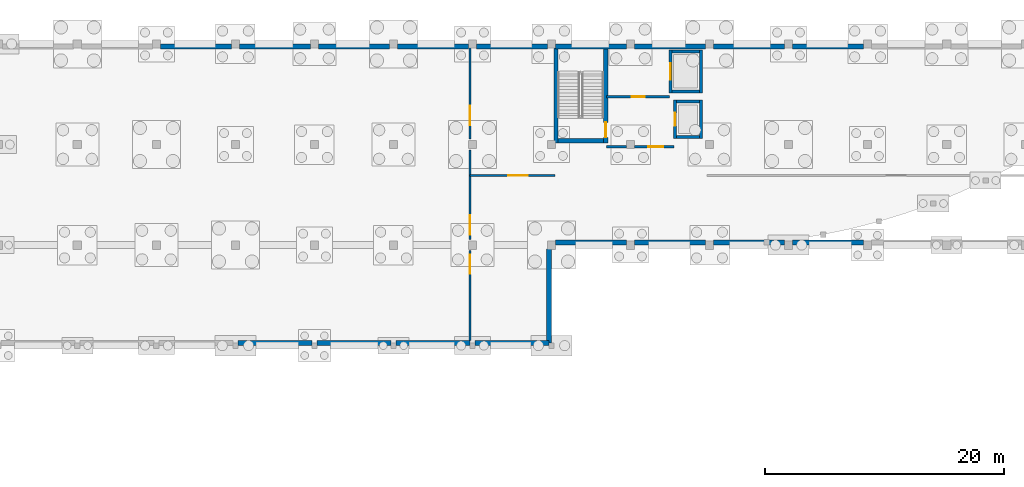
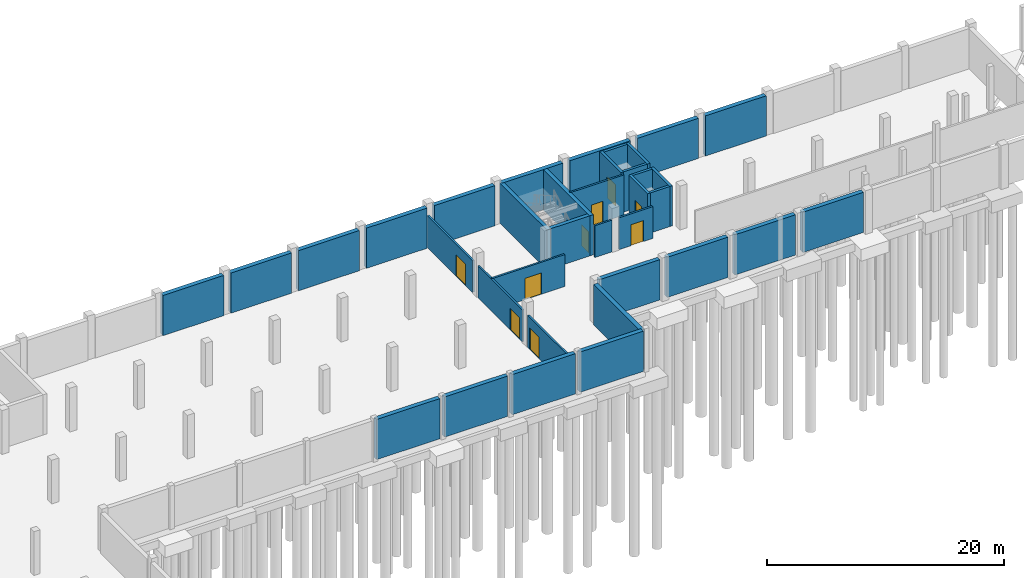
# One storey, part 15 of 25: 36 walls, 9 doors, 9 openings.
"""IFC4 building model written with IfcOpenShell, lengths in metres."""

from ifc_helpers import new_model, si_unit, direction, frame, frame_2d, origin, place, context, subcontext, project, spatial, rectangle, extrude, material, layer, layer_set, type_object, element, fill, save


model = new_model("IFC4")

# Units and contexts
model_context = context("Model", 3, precision=1e-05, world=origin(), true_north=direction((0.0, 1.0)))
body_context = subcontext(model_context, "Body", "Model", "MODEL_VIEW")
ifc_project = project(units=[si_unit("LENGTHUNIT", "METRE"), si_unit("AREAUNIT", "SQUARE_METRE"), si_unit("VOLUMEUNIT", "CUBIC_METRE"), si_unit("PLANEANGLEUNIT", "RADIAN"), si_unit("MASSUNIT", "GRAM", prefix="KILO")], contexts=[model_context])

# Site, building, storey
site_placement = place(None, origin())
site = spatial("IfcSite", under=ifc_project, at=site_placement, CompositionType="ELEMENT")
building_placement = place(site_placement, origin())
building = spatial("IfcBuilding", under=site, at=building_placement, Name="Qaldarim Faculty of Natural and Applied Sciences", CompositionType="ELEMENT")
storey_placement = place(building_placement, frame((0.0, 0.0, -4.5)))
storey = spatial("IfcBuildingStorey", under=building, at=storey_placement, Name="B01", CompositionType="ELEMENT", Elevation=-4.5)

# Walls
ifc_material_1 = material(Name="Concrete C40/50", Category="concrete")
ifc_layer_1 = layer(ifc_material_1, 0.419921875)
ifc_layer_set_1 = layer_set([ifc_layer_1], Name="Concrete C40/50")
wall_type_1 = type_object("IfcWallType", Name="BasementRetainingWall-420", PredefinedType="SOLIDWALL", material=ifc_layer_set_1)
wall_1_placement = place(storey_placement, frame((72.2548828125, 117.389892578125, 0.0), z_axis=(0.0, 0.0, 1.0), x_axis=(-1.0, 0.0, 0.0)))
element("IfcWall", 1, at=wall_1_placement, inside=storey, type_object=wall_type_1, Name="Basement retaining wall N X11Y14", PredefinedType="SOLIDWALL", context=body_context, shape_type="SweptSolid", body=[
    extrude(rectangle(XDim=5.909912109375, YDim=0.419921875, at=frame_2d((2.955078125, 0.0))), origin(), (0.0, 0.0, 1.0), 4.139892578125),
])
wall_2_placement = place(storey_placement, frame((72.820068359375, 92.610107421875, 0.0), z_axis=(0.0, 0.0, 1.0), x_axis=(1.0, 0.0, 0.0)))
element("IfcWall", 2, at=wall_2_placement, inside=storey, type_object=wall_type_1, Name="Basement retaining wall S X12Y12", PredefinedType="SOLIDWALL", context=body_context, shape_type="SweptSolid", body=[
    extrude(rectangle(XDim=6.159912109375, YDim=0.419921875, at=frame_2d((3.080078125, 0.0))), origin(), (0.0, 0.0, 1.0), 4.139892578125),
])
wall_3_placement = place(storey_placement, frame((78.85498046875, 117.389892578125, 0.0), z_axis=(0.0, 0.0, 1.0), x_axis=(-1.0, 0.0, 0.0)))
element("IfcWall", 3, at=wall_3_placement, inside=storey, type_object=wall_type_1, Name="Basement retaining wall N X12Y14", PredefinedType="SOLIDWALL", context=body_context, shape_type="SweptSolid", body=[
    extrude(rectangle(XDim=5.909912109375, YDim=0.419921875, at=frame_2d((2.955078125, 0.0))), origin(), (0.0, 0.0, 1.0), 4.139892578125),
])
wall_4_placement = place(storey_placement, frame((79.419921875, 92.610107421875, 0.0), z_axis=(0.0, 0.0, 1.0), x_axis=(1.0, 0.0, 0.0)))
element("IfcWall", 4, at=wall_4_placement, inside=storey, type_object=wall_type_1, Name="Basement retaining wall S X13Y12", PredefinedType="SOLIDWALL", context=body_context, shape_type="SweptSolid", body=[
    extrude(rectangle(XDim=6.16015625, YDim=0.419921875, at=frame_2d((3.080078125, 0.0))), origin(), (0.0, 0.0, 1.0), 4.139892578125),
])
wall_5_placement = place(storey_placement, frame((85.455078125, 117.389892578125, 0.0), z_axis=(0.0, 0.0, 1.0), x_axis=(-1.0, 0.0, 0.0)))
element("IfcWall", 5, at=wall_5_placement, inside=storey, type_object=wall_type_1, Name="Basement retaining wall N X13Y14", PredefinedType="SOLIDWALL", context=body_context, shape_type="SweptSolid", body=[
    extrude(rectangle(XDim=5.91015625, YDim=0.419921875, at=frame_2d((2.955078125, 0.0))), origin(), (0.0, 0.0, 1.0), 4.139892578125),
])
wall_6_placement = place(storey_placement, frame((86.02001953125, 92.610107421875, 0.0), z_axis=(0.0, 0.0, 1.0), x_axis=(1.0, 0.0, 0.0)))
element("IfcWall", 6, at=wall_6_placement, inside=storey, type_object=wall_type_1, Name="Basement retaining wall S X14Y12", PredefinedType="SOLIDWALL", context=body_context, shape_type="SweptSolid", body=[
    extrude(rectangle(XDim=6.159912109375, YDim=0.419921875, at=frame_2d((3.080078125, 0.0))), origin(), (0.0, 0.0, 1.0), 4.139892578125),
])
wall_7_placement = place(storey_placement, frame((92.054931640625, 117.389892578125, 0.0), z_axis=(0.0, 0.0, 1.0), x_axis=(-1.0, 0.0, 0.0)))
element("IfcWall", 7, at=wall_7_placement, inside=storey, type_object=wall_type_1, Name="Basement retaining wall N X14Y14", PredefinedType="SOLIDWALL", context=body_context, shape_type="SweptSolid", body=[
    extrude(rectangle(XDim=5.909912109375, YDim=0.419921875, at=frame_2d((2.955078125, 0.0))), origin(), (0.0, 0.0, 1.0), 4.139892578125),
])
wall_8_placement = place(storey_placement, frame((92.6201171875, 92.610107421875, 0.0), z_axis=(0.0, 0.0, 1.0), x_axis=(1.0, 0.0, 0.0)))
element("IfcWall", 8, at=wall_8_placement, inside=storey, type_object=wall_type_1, Name="Basement retaining wall S X15Y12", PredefinedType="SOLIDWALL", context=body_context, shape_type="SweptSolid", body=[
    extrude(rectangle(XDim=6.159912109375, YDim=0.419921875, at=frame_2d((3.080078125, 0.0))), origin(), (0.0, 0.0, 1.0), 4.139892578125),
])
wall_9_placement = place(storey_placement, frame((98.7900390625, 92.6201171875, 0.0), z_axis=(0.0, 0.0, 1.0), x_axis=(0.0, 1.0, 0.0)))
element("IfcWall", 9, at=wall_9_placement, inside=storey, type_object=wall_type_1, Name="Basement retaining wall E X15Y12", PredefinedType="SOLIDWALL", context=body_context, shape_type="SweptSolid", body=[
    extrude(rectangle(XDim=7.8349609375, YDim=0.419921875, at=frame_2d((3.91748046875, 0.0))), origin(), (0.0, 0.0, 1.0), 4.139892578125),
])
for number, where, z_axis, x_axis, name in (
    (10, (98.655029296875, 117.389892578125, 0.0), (0.0, 0.0, 1.0), (-1.0, 0.0, 0.0), "Basement retaining wall N X15Y14"),
    (11, (99.344970703125, 101.010009765625, 0.0), (0.0, 0.0, 1.0), (1.0, 0.0, 0.0), "Basement retaining wall S X16Y13"),
):
    element("IfcWall", number, at=place(storey_placement, frame(where, z_axis=z_axis, x_axis=x_axis)), inside=storey, type_object=wall_type_1, Name=name, PredefinedType="SOLIDWALL", context=body_context, shape_type="SweptSolid", body=[
        extrude(rectangle(XDim=5.909912109375, YDim=0.419921875, at=frame_2d((2.955078125, 0.0))), origin(), (0.0, 0.0, 1.0), 4.139892578125),
    ])
wall_10_placement = place(storey_placement, frame((105.25, 117.389892578125, 0.0), z_axis=(0.0, 0.0, 1.0), x_axis=(-1.0, 0.0, 0.0)))
element("IfcWall", 12, at=wall_10_placement, inside=storey, type_object=wall_type_1, Name="Basement retaining wall N X16Y14", PredefinedType="SOLIDWALL", context=body_context, shape_type="SweptSolid", body=[
    extrude(rectangle(XDim=5.89990234375, YDim=0.419921875, at=frame_2d((2.949951171875, 0.0))), origin(), (0.0, 0.0, 1.0), 4.139892578125),
])
for number, where, z_axis, x_axis, name in (
    (13, (105.945068359375, 101.010009765625, 0.0), (0.0, 0.0, 1.0), (1.0, 0.0, 0.0), "Basement retaining wall S X17Y13"),
    (14, (111.85498046875, 117.389892578125, 0.0), (0.0, 0.0, 1.0), (-1.0, 0.0, 0.0), "Basement retaining wall N X17Y14"),
):
    element("IfcWall", number, at=place(storey_placement, frame(where, z_axis=z_axis, x_axis=x_axis)), inside=storey, type_object=wall_type_1, Name=name, PredefinedType="SOLIDWALL", context=body_context, shape_type="SweptSolid", body=[
        extrude(rectangle(XDim=5.909912109375, YDim=0.419921875, at=frame_2d((2.955078125, 0.0))), origin(), (0.0, 0.0, 1.0), 4.139892578125),
    ])
for number, where, z_axis, x_axis, name in (
    (15, (112.544921875, 101.010009765625, 0.0), (0.0, 0.0, 1.0), (1.0, 0.0, 0.0), "Basement retaining wall S X18Y13"),
    (16, (118.455078125, 117.389892578125, 0.0), (0.0, 0.0, 1.0), (-1.0, 0.0, 0.0), "Basement retaining wall N X18Y14"),
):
    element("IfcWall", number, at=place(storey_placement, frame(where, z_axis=z_axis, x_axis=x_axis)), inside=storey, type_object=wall_type_1, Name=name, PredefinedType="SOLIDWALL", context=body_context, shape_type="SweptSolid", body=[
        extrude(rectangle(XDim=5.91015625, YDim=0.419921875, at=frame_2d((2.955078125, 0.0))), origin(), (0.0, 0.0, 1.0), 4.139892578125),
    ])
for number, where, z_axis, x_axis, name in (
    (17, (119.14501953125, 101.010009765625, 0.0), (0.0, 0.0, 1.0), (1.0, 0.0, 0.0), "Basement retaining wall S X19Y13"),
    (18, (125.054931640625, 117.389892578125, 0.0), (0.0, 0.0, 1.0), (-1.0, 0.0, 0.0), "Basement retaining wall N X19Y14"),
):
    element("IfcWall", number, at=place(storey_placement, frame(where, z_axis=z_axis, x_axis=x_axis)), inside=storey, type_object=wall_type_1, Name=name, PredefinedType="SOLIDWALL", context=body_context, shape_type="SweptSolid", body=[
        extrude(rectangle(XDim=5.909912109375, YDim=0.419921875, at=frame_2d((2.955078125, 0.0))), origin(), (0.0, 0.0, 1.0), 4.139892578125),
    ])
ifc_material_2 = material(Name="Concrete C50/60", Category="concrete")
ifc_layer_2 = layer(ifc_material_2, 0.360107421875)
ifc_layer_set_2 = layer_set([ifc_layer_2], Name="Concrete C50/60")
wall_type_2 = type_object("IfcWallType", Name="CoreShearWall-360", PredefinedType="SHEAR", material=ifc_layer_set_2)
wall_11_placement = place(storey_placement, frame((99.3701171875, 109.340087890625, 0.0), z_axis=(0.0, 0.0, 1.0), x_axis=(0.0, 1.0, 0.0)))
element("IfcWall", 19, at=wall_11_placement, inside=storey, type_object=wall_type_2, Name="Core stair ST-B1 west shear wall B01", PredefinedType="SHEAR", context=body_context, shape_type="SweptSolid", body=[
    extrude(rectangle(XDim=8.0498046875, YDim=0.360107421875, at=frame_2d((4.02490234375, 0.0))), origin(), (0.0, 0.0, 1.0), 4.139892578125),
])

# Wall, opening, door
wall_12_placement = place(storey_placement, frame((103.530029296875, 109.340087890625, 0.0), z_axis=(0.0, 0.0, 1.0), x_axis=(0.0, 1.0, 0.0)))
wall_12 = element("IfcWall", 20, at=wall_12_placement, inside=storey, type_object=wall_type_2, Name="Core stair ST-B1 east shear wall B01", PredefinedType="SHEAR", context=body_context, shape_type="SweptSolid", body=[
    extrude(rectangle(XDim=8.0498046875, YDim=0.360107421875, at=frame_2d((4.02490234375, 0.0))), origin(), (0.0, 0.0, 1.0), 4.139892578125),
])
opening_1_placement = place(wall_12_placement, frame((0.449951171875, 0.0, 0.0)))
opening_1 = element("IfcOpeningElement", 21, at=opening_1_placement, cuts=wall_12, Name="Opening ID04", PredefinedType="OPENING", context=body_context, shape_type="SweptSolid", body=[
    extrude(rectangle(XDim=1.25, YDim=2.14990234375, at=frame_2d((0.625, 1.074951171875))), frame((0.0, 0.18994140625, 0.0), z_axis=(0.0, -1.0, 0.0), x_axis=(1.0, 0.0, 0.0)), (0.0, 0.0, 1.0), 0.380126953125),
])
ifc_material_3 = material(Name="Architectural stainless steel 316", Category="steel")
door_type_1 = type_object("IfcDoorType", Name="StairEnclosureFireDoor-1250x2150", OperationType="NOTDEFINED", PredefinedType="DOOR", material=ifc_material_3)
door_1_placement = place(opening_1_placement, origin())
door_1 = element("IfcDoor", 22, at=door_1_placement, inside=storey, type_object=door_type_1, Name="Protected stair ST-B1 fire door D-B01-526", OperationType="SINGLE_SWING_LEFT", OverallHeight=2.14990234375, OverallWidth=1.25, PredefinedType="DOOR", context=body_context, shape_type="SweptSolid", body=[
    extrude(rectangle(XDim=1.25, YDim=2.14990234375, at=frame_2d((0.625, 1.074951171875))), frame((0.0, 0.02490234375, 0.0), z_axis=(0.0, -1.0, 0.0), x_axis=(1.0, 0.0, 0.0)), (0.0, 0.0, 1.0), 0.050048828125),
])
fill(opening_1, door_1)

# Wall
wall_13_placement = place(storey_placement, frame((99.550048828125, 109.52001953125, 0.0), z_axis=(0.0, 0.0, 1.0), x_axis=(1.0, 0.0, 0.0)))
element("IfcWall", 23, at=wall_13_placement, inside=storey, type_object=wall_type_2, Name="Core stair ST-B1 south shear wall B01", PredefinedType="SHEAR", context=body_context, shape_type="SweptSolid", body=[
    extrude(rectangle(XDim=3.800048828125, YDim=0.360107421875, at=frame_2d((1.89990234375, 0.0))), origin(), (0.0, 0.0, 1.0), 4.139892578125),
])

# Wall, opening, door
ifc_layer_3 = layer(ifc_material_1, 0.179931640625)
ifc_layer_set_3 = layer_set([ifc_layer_3], Name="Concrete C40/50")
wall_type_3 = type_object("IfcWallType", Name="LabFireCompartmentWall-180", PredefinedType="SOLIDWALL", material=ifc_layer_set_3)
wall_14_placement = place(storey_placement, frame((92.199951171875, 92.820068359375, 0.0), z_axis=(0.0, 0.0, 1.0), x_axis=(0.0, 1.0, 0.0)))
wall_14 = element("IfcWall", 24, at=wall_14_placement, inside=storey, type_object=wall_type_3, Name="Interior partition PRT-B01-V4B-LOGW-S1", PredefinedType="SOLIDWALL", context=body_context, shape_type="SweptSolid", body=[
    extrude(rectangle(XDim=7.530029296875, YDim=0.179931640625, at=frame_2d((3.76513671875, 0.0))), origin(), (0.0, 0.0, 1.0), 3.2900390625),
])
opening_2_placement = place(wall_14_placement, frame((5.580078125, 0.0, 0.0)))
opening_2 = element("IfcOpeningElement", 25, at=opening_2_placement, cuts=wall_14, Name="Opening ID06", PredefinedType="OPENING", context=body_context, shape_type="SweptSolid", body=[
    extrude(rectangle(XDim=1.60009765625, YDim=2.199951171875, at=frame_2d((0.800048828125, 1.10009765625))), frame((0.0, 0.099853515625, 0.0), z_axis=(0.0, -1.0, 0.0), x_axis=(1.0, 0.0, 0.0)), (0.0, 0.0, 1.0), 0.199951171875),
])
door_type_2 = type_object("IfcDoorType", Name="LabEquipmentDoubleDoor-1600x2200", OperationType="NOTDEFINED", PredefinedType="DOOR", material=ifc_material_3)
door_2_placement = place(opening_2_placement, origin())
door_2 = element("IfcDoor", 26, at=door_2_placement, inside=storey, type_object=door_type_2, Name="Interior door D-B01-156", OperationType="DOUBLE_DOOR_SINGLE_SWING", OverallHeight=2.199951171875, OverallWidth=1.60009765625, PredefinedType="DOOR", context=body_context, shape_type="SweptSolid", body=[
    extrude(rectangle(XDim=1.60009765625, YDim=2.199951171875, at=frame_2d((0.800048828125, 1.10009765625))), frame((0.0, 0.02490234375, 0.0), z_axis=(0.0, -1.0, 0.0), x_axis=(1.0, 0.0, 0.0)), (0.0, 0.0, 1.0), 0.050048828125),
])
fill(opening_2, door_2)

wall_15_placement = place(storey_placement, frame((92.199951171875, 101.25, 0.0), z_axis=(0.0, 0.0, 1.0), x_axis=(0.0, 1.0, 0.0)))
wall_15 = element("IfcWall", 27, at=wall_15_placement, inside=storey, type_object=wall_type_3, Name="Interior partition PRT-B01-V4B-LOGW-S2", PredefinedType="SOLIDWALL", context=body_context, shape_type="SweptSolid", body=[
    extrude(rectangle(XDim=7.5, YDim=0.179931640625, at=frame_2d((3.75, 0.0))), origin(), (0.0, 0.0, 1.0), 3.2900390625),
])
opening_3_placement = place(wall_15_placement, frame((0.429931640625, 0.0, 0.0)))
opening_3 = element("IfcOpeningElement", 28, at=opening_3_placement, cuts=wall_15, Name="Opening ID06", PredefinedType="OPENING", context=body_context, shape_type="SweptSolid", body=[
    extrude(rectangle(XDim=1.60009765625, YDim=2.199951171875, at=frame_2d((0.800048828125, 1.10009765625))), frame((0.0, 0.099853515625, 0.0), z_axis=(0.0, -1.0, 0.0), x_axis=(1.0, 0.0, 0.0)), (0.0, 0.0, 1.0), 0.199951171875),
])
door_3_placement = place(opening_3_placement, origin())
door_3 = element("IfcDoor", 29, at=door_3_placement, inside=storey, type_object=door_type_2, Name="Interior door D-B01-157", OperationType="DOUBLE_DOOR_SINGLE_SWING", OverallHeight=2.199951171875, OverallWidth=1.60009765625, PredefinedType="DOOR", context=body_context, shape_type="SweptSolid", body=[
    extrude(rectangle(XDim=1.60009765625, YDim=2.199951171875, at=frame_2d((0.800048828125, 1.10009765625))), frame((0.0, 0.02490234375, 0.0), z_axis=(0.0, -1.0, 0.0), x_axis=(1.0, 0.0, 0.0)), (0.0, 0.0, 1.0), 0.050048828125),
])
fill(opening_3, door_3)

wall_16_placement = place(storey_placement, frame((92.199951171875, 109.64990234375, 0.0), z_axis=(0.0, 0.0, 1.0), x_axis=(0.0, 1.0, 0.0)))
wall_16 = element("IfcWall", 30, at=wall_16_placement, inside=storey, type_object=wall_type_3, Name="Interior partition PRT-B01-V4B-LOGW-S3", PredefinedType="SOLIDWALL", context=body_context, shape_type="SweptSolid", body=[
    extrude(rectangle(XDim=7.650146484375, YDim=0.179931640625, at=frame_2d((3.8251953125, 0.0))), origin(), (0.0, 0.0, 1.0), 3.2900390625),
])
opening_4_placement = place(wall_16_placement, frame((1.169921875, 0.0, 0.0)))
opening_4 = element("IfcOpeningElement", 31, at=opening_4_placement, cuts=wall_16, Name="Opening ID06", PredefinedType="OPENING", context=body_context, shape_type="SweptSolid", body=[
    extrude(rectangle(XDim=1.60009765625, YDim=2.199951171875, at=frame_2d((0.800048828125, 1.10009765625))), frame((0.0, 0.099853515625, 0.0), z_axis=(0.0, -1.0, 0.0), x_axis=(1.0, 0.0, 0.0)), (0.0, 0.0, 1.0), 0.199951171875),
])
door_4_placement = place(opening_4_placement, origin())
door_4 = element("IfcDoor", 32, at=door_4_placement, inside=storey, type_object=door_type_2, Name="Interior door D-B01-158", OperationType="DOUBLE_DOOR_SINGLE_SWING", OverallHeight=2.199951171875, OverallWidth=1.60009765625, PredefinedType="DOOR", context=body_context, shape_type="SweptSolid", body=[
    extrude(rectangle(XDim=1.60009765625, YDim=2.199951171875, at=frame_2d((0.800048828125, 1.10009765625))), frame((0.0, 0.02490234375, 0.0), z_axis=(0.0, -1.0, 0.0), x_axis=(1.0, 0.0, 0.0)), (0.0, 0.0, 1.0), 0.050048828125),
])
fill(opening_4, door_4)

wall_17_placement = place(storey_placement, frame((92.199951171875, 106.60009765625, 0.0), z_axis=(0.0, 0.0, 1.0), x_axis=(1.0, 0.0, 0.0)))
wall_17 = element("IfcWall", 33, at=wall_17_placement, inside=storey, type_object=wall_type_3, Name="Interior partition PRT-B01-V4B-LOGN", PredefinedType="SOLIDWALL", context=body_context, shape_type="SweptSolid", body=[
    extrude(rectangle(XDim=7.10009765625, YDim=0.179931640625, at=frame_2d((3.550048828125, 0.0))), origin(), (0.0, 0.0, 1.0), 3.2900390625),
])
opening_5_placement = place(wall_17_placement, frame((3.199951171875, 0.0, 0.0)))
opening_5 = element("IfcOpeningElement", 34, at=opening_5_placement, cuts=wall_17, Name="Opening ID06", PredefinedType="OPENING", context=body_context, shape_type="SweptSolid", body=[
    extrude(rectangle(XDim=1.60009765625, YDim=2.199951171875, at=frame_2d((0.800048828125, 1.10009765625))), frame((0.0, 0.099853515625, 0.0), z_axis=(0.0, -1.0, 0.0), x_axis=(1.0, 0.0, 0.0)), (0.0, 0.0, 1.0), 0.199951171875),
])
door_5_placement = place(opening_5_placement, origin())
door_5 = element("IfcDoor", 35, at=door_5_placement, inside=storey, type_object=door_type_2, Name="Interior door D-B01-159", OperationType="DOUBLE_DOOR_SINGLE_SWING", OverallHeight=2.199951171875, OverallWidth=1.60009765625, PredefinedType="DOOR", context=body_context, shape_type="SweptSolid", body=[
    extrude(rectangle(XDim=1.60009765625, YDim=2.199951171875, at=frame_2d((0.800048828125, 1.10009765625))), frame((0.0, 0.02490234375, 0.0), z_axis=(0.0, -1.0, 0.0), x_axis=(1.0, 0.0, 0.0)), (0.0, 0.0, 1.0), 0.050048828125),
])
fill(opening_5, door_5)

# Wall
wall_18_placement = place(storey_placement, frame((103.60009765625, 109.010009765625, 0.0), z_axis=(0.0, 0.0, 1.0), x_axis=(1.0, 0.0, 0.0)))
element("IfcWall", 36, at=wall_18_placement, inside=storey, type_object=wall_type_3, Name="Fire-fighting lobby south-west compartment wall Core B B01", PredefinedType="SOLIDWALL", context=body_context, shape_type="SweptSolid", body=[
    extrude(rectangle(XDim=1.64990234375, YDim=0.179931640625, at=frame_2d((0.824951171875, 0.0))), origin(), (0.0, 0.0, 1.0), 3.27490234375),
])

# Wall, opening, door
wall_19_placement = place(storey_placement, frame((105.949951171875, 109.010009765625, 0.0), z_axis=(0.0, 0.0, 1.0), x_axis=(1.0, 0.0, 0.0)))
wall_19 = element("IfcWall", 37, at=wall_19_placement, inside=storey, type_object=wall_type_3, Name="Fire-fighting lobby south compartment wall Core B B01", PredefinedType="SOLIDWALL", context=body_context, shape_type="SweptSolid", body=[
    extrude(rectangle(XDim=3.300048828125, YDim=0.179931640625, at=frame_2d((1.64990234375, 0.0))), origin(), (0.0, 0.0, 1.0), 3.27490234375),
])
opening_6_placement = place(wall_19_placement, frame((1.14990234375, 0.0, 0.0)))
opening_6 = element("IfcOpeningElement", 38, at=opening_6_placement, cuts=wall_19, Name="Opening ID04", PredefinedType="OPENING", context=body_context, shape_type="SweptSolid", body=[
    extrude(rectangle(XDim=1.25, YDim=2.14990234375, at=frame_2d((0.625, 1.074951171875))), frame((0.0, 0.099853515625, 0.0), z_axis=(0.0, -1.0, 0.0), x_axis=(1.0, 0.0, 0.0)), (0.0, 0.0, 1.0), 0.199951171875),
])
door_6_placement = place(opening_6_placement, origin())
door_6 = element("IfcDoor", 39, at=door_6_placement, inside=storey, type_object=door_type_1, Name="Fire-fighting lobby door Core B D-B01-636", OperationType="SINGLE_SWING_LEFT", OverallHeight=2.14990234375, OverallWidth=1.25, PredefinedType="DOOR", context=body_context, shape_type="SweptSolid", body=[
    extrude(rectangle(XDim=1.25, YDim=2.14990234375, at=frame_2d((0.625, 1.074951171875))), frame((0.0, 0.02490234375, 0.0), z_axis=(0.0, -1.0, 0.0), x_axis=(1.0, 0.0, 0.0)), (0.0, 0.0, 1.0), 0.050048828125),
])
fill(opening_6, door_6)

wall_20_placement = place(storey_placement, frame((103.60009765625, 113.18994140625, 0.0), z_axis=(0.0, 0.0, 1.0), x_axis=(1.0, 0.0, 0.0)))
wall_20 = element("IfcWall", 40, at=wall_20_placement, inside=storey, type_object=wall_type_3, Name="Fire-fighting lobby north wall Core B B01", PredefinedType="SOLIDWALL", context=body_context, shape_type="SweptSolid", body=[
    extrude(rectangle(XDim=5.25, YDim=0.179931640625, at=frame_2d((2.625, 0.0))), origin(), (0.0, 0.0, 1.0), 4.139892578125),
])
opening_7_placement = place(wall_20_placement, frame((2.10009765625, 0.0, 0.0)))
opening_7 = element("IfcOpeningElement", 41, at=opening_7_placement, cuts=wall_20, Name="Opening ID03", PredefinedType="OPENING", context=body_context, shape_type="SweptSolid", body=[
    extrude(rectangle(XDim=1.10009765625, YDim=2.14990234375, at=frame_2d((0.550048828125, 1.074951171875))), frame((0.0, 0.099853515625, 0.0), z_axis=(0.0, -1.0, 0.0), x_axis=(1.0, 0.0, 0.0)), (0.0, 0.0, 1.0), 0.199951171875),
])
ifc_material_4 = material(Name="Oak hardwood", Category="wood")
door_type_3 = type_object("IfcDoorType", Name="FireLobbyDoor-1100x2150", OperationType="NOTDEFINED", PredefinedType="DOOR", material=ifc_material_4)
door_7_placement = place(opening_7_placement, frame((1.10009765625, 0.0, 0.0), z_axis=(0.0, 0.0, 1.0), x_axis=(-1.0, 0.0, 0.0)))
door_7 = element("IfcDoor", 42, at=door_7_placement, inside=storey, type_object=door_type_3, Name="Passenger lift lobby door Core B D-B01-637", OperationType="SINGLE_SWING_RIGHT", OverallHeight=2.14990234375, OverallWidth=1.10009765625, PredefinedType="DOOR", context=body_context, shape_type="SweptSolid", body=[
    extrude(rectangle(XDim=1.10009765625, YDim=2.14990234375, at=frame_2d((0.550048828125, 1.074951171875))), frame((0.0, 0.02490234375, 0.0), z_axis=(0.0, -1.0, 0.0), x_axis=(1.0, 0.0, 0.0)), (0.0, 0.0, 1.0), 0.050048828125),
])
fill(opening_7, door_7)

ifc_layer_4 = layer(ifc_material_1, 0.25)
ifc_layer_set_4 = layer_set([ifc_layer_4], Name="Concrete C40/50")
wall_type_4 = type_object("IfcWallType", Name="LiftShaftWall-250", PredefinedType="SHEAR", material=ifc_layer_set_4)
wall_21_placement = place(storey_placement, frame((109.324951171875, 109.699951171875, 0.0), z_axis=(0.0, 0.0, 1.0), x_axis=(0.0, 1.0, 0.0)))
wall_21 = element("IfcWall", 43, at=wall_21_placement, inside=storey, type_object=wall_type_4, Name="Lift LF-B1 front shaft wall B01", PredefinedType="SHEAR", context=body_context, shape_type="SweptSolid", body=[
    extrude(rectangle(XDim=3.199951171875, YDim=0.25, at=frame_2d((1.60009765625, 0.0))), origin(), (0.0, 0.0, 1.0), 4.139892578125),
])
opening_8_placement = place(wall_21_placement, frame((1.050048828125, 0.0, 0.0)))
opening_8 = element("IfcOpeningElement", 44, at=opening_8_placement, cuts=wall_21, Name="Opening LD01", PredefinedType="OPENING", context=body_context, shape_type="SweptSolid", body=[
    extrude(rectangle(XDim=1.10009765625, YDim=2.14990234375, at=frame_2d((0.550048828125, 1.074951171875))), frame((0.0, 0.135009765625, 0.0), z_axis=(0.0, -1.0, 0.0), x_axis=(1.0, 0.0, 0.0)), (0.0, 0.0, 1.0), 0.27001953125),
])
door_type_4 = type_object("IfcDoorType", Name="LiftLandingSlidingDoor-1100x2150", OperationType="NOTDEFINED", PredefinedType="DOOR", material=ifc_material_3)
door_8_placement = place(opening_8_placement, origin())
door_8 = element("IfcDoor", 45, at=door_8_placement, inside=storey, type_object=door_type_4, Name="Lift landing sliding door LF-B1 D-B01-622", OperationType="SLIDING_TO_LEFT", OverallHeight=2.14990234375, OverallWidth=1.10009765625, PredefinedType="DOOR", context=body_context, shape_type="SweptSolid", body=[
    extrude(rectangle(XDim=1.10009765625, YDim=2.14990234375, at=frame_2d((0.550048828125, 1.074951171875))), frame((0.0, 0.02490234375, 0.0), z_axis=(0.0, -1.0, 0.0), x_axis=(1.0, 0.0, 0.0)), (0.0, 0.0, 1.0), 0.050048828125),
])
fill(opening_8, door_8)

# Walls
wall_22_placement = place(storey_placement, frame((111.47509765625, 109.699951171875, 0.0), z_axis=(0.0, 0.0, 1.0), x_axis=(0.0, 1.0, 0.0)))
element("IfcWall", 46, at=wall_22_placement, inside=storey, type_object=wall_type_4, Name="Lift LF-B1 rear shaft wall B01", PredefinedType="SHEAR", context=body_context, shape_type="SweptSolid", body=[
    extrude(rectangle(XDim=3.199951171875, YDim=0.25, at=frame_2d((1.60009765625, 0.0))), origin(), (0.0, 0.0, 1.0), 4.139892578125),
])
for number, where, z_axis, x_axis, name in (
    (47, (109.449951171875, 109.824951171875, 0.0), (0.0, 0.0, 1.0), (1.0, 0.0, 0.0), "Lift LF-B1 south shaft wall B01"),
    (48, (109.449951171875, 112.77490234375, 0.0), (0.0, 0.0, 1.0), (1.0, 0.0, 0.0), "Lift LF-B1 north shaft wall B01"),
):
    element("IfcWall", number, at=place(storey_placement, frame(where, z_axis=z_axis, x_axis=x_axis)), inside=storey, type_object=wall_type_4, Name=name, PredefinedType="SHEAR", context=body_context, shape_type="SweptSolid", body=[
        extrude(rectangle(XDim=1.900146484375, YDim=0.25, at=frame_2d((0.9501953125, 0.0))), origin(), (0.0, 0.0, 1.0), 4.139892578125),
    ])

# Wall, opening, door
wall_23_placement = place(storey_placement, frame((108.925048828125, 113.5, 0.0), z_axis=(0.0, 0.0, 1.0), x_axis=(0.0, 1.0, 0.0)))
wall_23 = element("IfcWall", 49, at=wall_23_placement, inside=storey, type_object=wall_type_4, Name="Lift LF-B2 front shaft wall B01", PredefinedType="SHEAR", context=body_context, shape_type="SweptSolid", body=[
    extrude(rectangle(XDim=3.60009765625, YDim=0.25, at=frame_2d((1.800048828125, 0.0))), origin(), (0.0, 0.0, 1.0), 4.139892578125),
])
opening_9_placement = place(wall_23_placement, frame((1.10009765625, 0.0, 0.0)))
opening_9 = element("IfcOpeningElement", 50, at=opening_9_placement, cuts=wall_23, Name="Opening LD02", PredefinedType="OPENING", context=body_context, shape_type="SweptSolid", body=[
    extrude(rectangle(XDim=1.39990234375, YDim=2.199951171875, at=frame_2d((0.699951171875, 1.10009765625))), frame((0.0, 0.135009765625, 0.0), z_axis=(0.0, -1.0, 0.0), x_axis=(1.0, 0.0, 0.0)), (0.0, 0.0, 1.0), 0.27001953125),
])
door_type_5 = type_object("IfcDoorType", Name="GoodsLiftSlidingDoor-1400x2200", OperationType="NOTDEFINED", PredefinedType="DOOR", material=ifc_material_3)
door_9_placement = place(opening_9_placement, origin())
door_9 = element("IfcDoor", 51, at=door_9_placement, inside=storey, type_object=door_type_5, Name="Lift landing sliding door LF-B2 D-B01-629", OperationType="SLIDING_TO_LEFT", OverallHeight=2.199951171875, OverallWidth=1.39990234375, PredefinedType="DOOR", context=body_context, shape_type="SweptSolid", body=[
    extrude(rectangle(XDim=1.39990234375, YDim=2.199951171875, at=frame_2d((0.699951171875, 1.10009765625))), frame((0.0, 0.02490234375, 0.0), z_axis=(0.0, -1.0, 0.0), x_axis=(1.0, 0.0, 0.0)), (0.0, 0.0, 1.0), 0.050048828125),
])
fill(opening_9, door_9)

# Walls
wall_24_placement = place(storey_placement, frame((111.47509765625, 113.5, 0.0), z_axis=(0.0, 0.0, 1.0), x_axis=(0.0, 1.0, 0.0)))
element("IfcWall", 52, at=wall_24_placement, inside=storey, type_object=wall_type_4, Name="Lift LF-B2 rear shaft wall B01", PredefinedType="SHEAR", context=body_context, shape_type="SweptSolid", body=[
    extrude(rectangle(XDim=3.60009765625, YDim=0.25, at=frame_2d((1.800048828125, 0.0))), origin(), (0.0, 0.0, 1.0), 4.139892578125),
])
for number, where, z_axis, x_axis, name in (
    (53, (109.050048828125, 113.625, 0.0), (0.0, 0.0, 1.0), (1.0, 0.0, 0.0), "Lift LF-B2 south shaft wall B01"),
    (54, (109.050048828125, 116.97509765625, 0.0), (0.0, 0.0, 1.0), (1.0, 0.0, 0.0), "Lift LF-B2 north shaft wall B01"),
):
    element("IfcWall", number, at=place(storey_placement, frame(where, z_axis=z_axis, x_axis=x_axis)), inside=storey, type_object=wall_type_4, Name=name, PredefinedType="SHEAR", context=body_context, shape_type="SweptSolid", body=[
        extrude(rectangle(XDim=2.300048828125, YDim=0.25, at=frame_2d((1.14990234375, 0.0))), origin(), (0.0, 0.0, 1.0), 4.139892578125),
    ])

save(model, "model.ifc")
